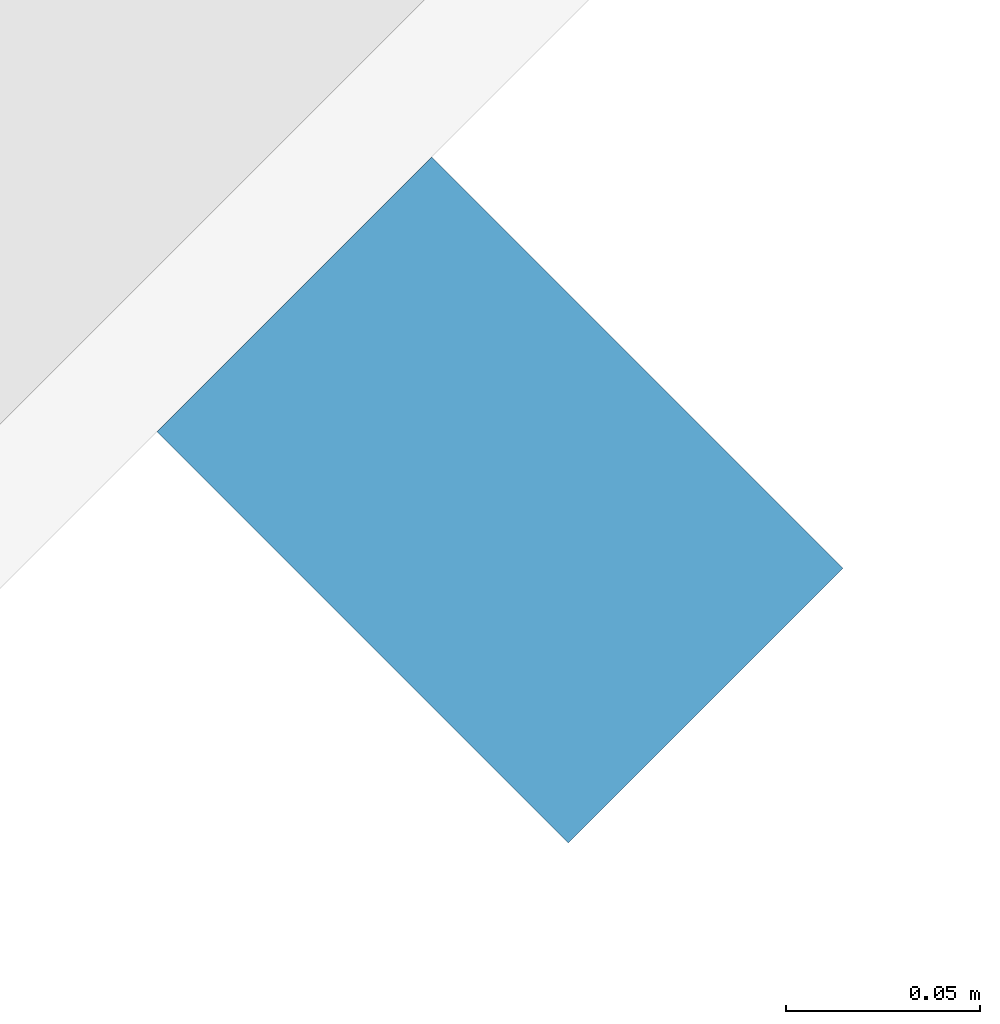
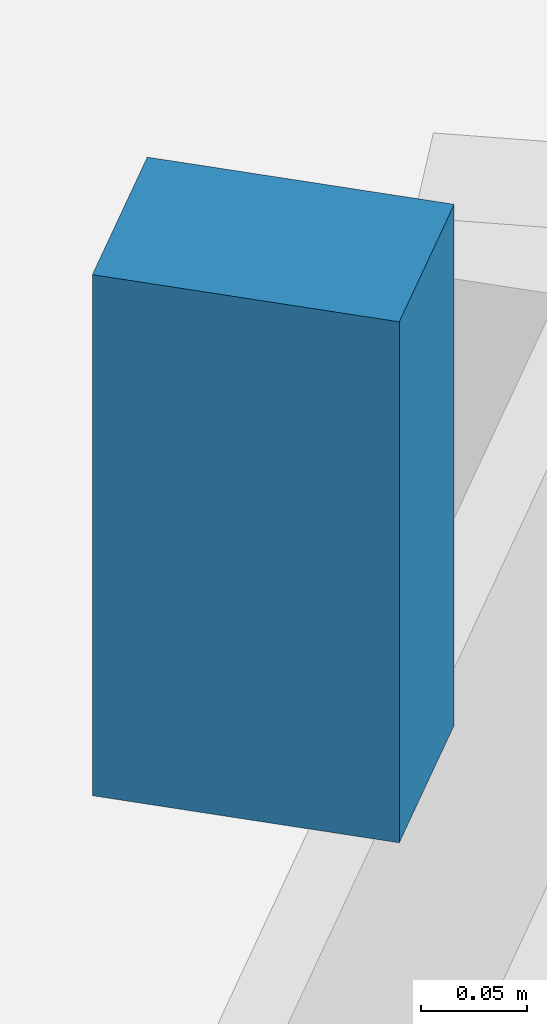
# One storey, part 10 of 31: 1 discrete accessory.
"""IFC4 building model written with IfcOpenShell, lengths in metres."""

from ifc_helpers import new_model, si_unit, direction, frame, origin, origin_2d, place, context, subcontext, project, spatial, rectangle, extrude, material, type_object, element, save


model = new_model("IFC4")

# Units and contexts
model_context = context("Model", 3, precision=1e-05, world=origin(), true_north=direction((0.0, 1.0)))
body_context = subcontext(model_context, "Body", "Model", "MODEL_VIEW")
ifc_project = project(units=[si_unit("LENGTHUNIT", "METRE"), si_unit("AREAUNIT", "SQUARE_METRE"), si_unit("VOLUMEUNIT", "CUBIC_METRE"), si_unit("PLANEANGLEUNIT", "RADIAN"), si_unit("MASSUNIT", "GRAM", prefix="KILO")], contexts=[model_context])

# Site, building, storey
site_placement = place(None, origin())
site = spatial("IfcSite", under=ifc_project, at=site_placement, CompositionType="ELEMENT")
building_placement = place(site_placement, origin())
building = spatial("IfcBuilding", under=site, at=building_placement, Name="Qamariyya Broadcast Tower", CompositionType="ELEMENT")
storey_placement = place(building_placement, frame((0.0, 0.0, 59.5)))
storey = spatial("IfcBuildingStorey", under=building, at=storey_placement, Name="L11", CompositionType="ELEMENT", Elevation=59.5)

# Discrete accessory
ifc_material = material(Name="Stainless steel 316", Category="steel")
discrete_accessory_type = type_object("IfcDiscreteAccessoryType", Name="Slab edge fixing angle, stainless steel", PredefinedType="BRACKET", material=ifc_material)
discrete_accessory_placement = place(storey_placement, frame((59.01611328125, -53.49072265625, 3.2998046875), z_axis=(0.0, 0.0, 1.0), x_axis=(0.707106781187, 0.707106781187, 0.0)))
element("IfcDiscreteAccessory", 1, at=discrete_accessory_placement, inside=storey, type_object=discrete_accessory_type, Name="e-br-L11-14-0", PredefinedType="BRACKET", context=body_context, shape_type="SweptSolid", body=[
    extrude(rectangle(XDim=0.10009765625, YDim=0.14990234375, at=origin_2d()), origin(), (0.0, 0.0, 1.0), 0.300048828125),
])

save(model, "model.ifc")
